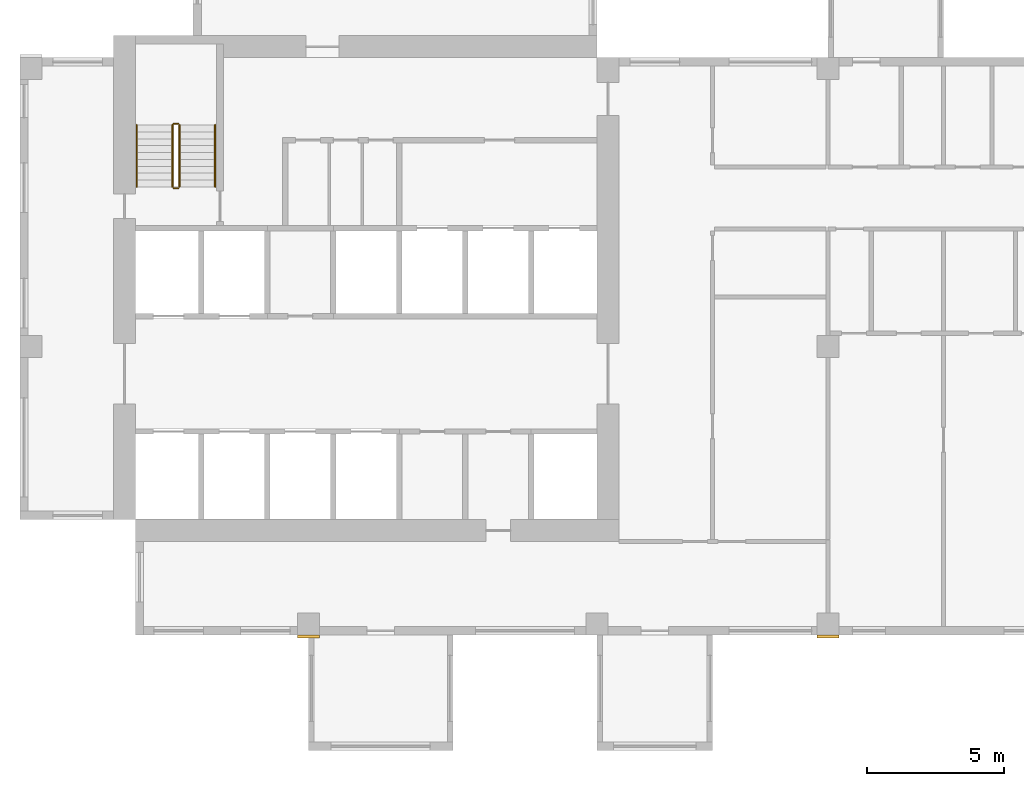
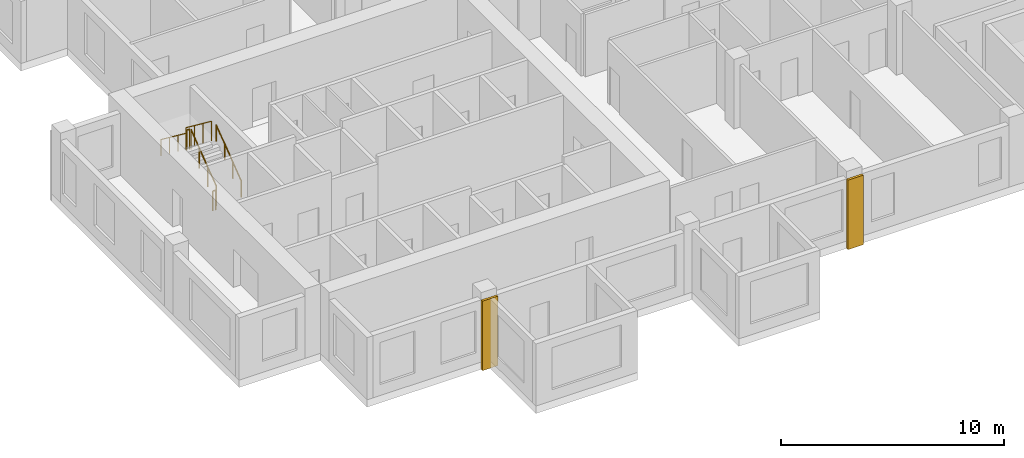
# One storey, part 9 of 12: 6 railings, 2 coverings.
"""IFC4 building model written with IfcOpenShell, lengths in metres."""

from ifc_helpers import new_model, si_unit, direction, frame, origin, origin_2d, place, context, subcontext, project, spatial, rectangle, circle, extrude, source, transform, mapped, material, type_object, element, save


model = new_model("IFC4")

# Units and contexts
model_context = context("Model", 3, precision=1e-05, world=origin(), true_north=direction((0.0, 1.0)))
body_context = subcontext(model_context, "Body", "Model", "MODEL_VIEW")
ifc_project = project(units=[si_unit("LENGTHUNIT", "METRE"), si_unit("AREAUNIT", "SQUARE_METRE"), si_unit("VOLUMEUNIT", "CUBIC_METRE"), si_unit("PLANEANGLEUNIT", "RADIAN"), si_unit("MASSUNIT", "GRAM", prefix="KILO")], contexts=[model_context])

# Site, building, storey
site_placement = place(None, origin())
site = spatial("IfcSite", under=ifc_project, at=site_placement, CompositionType="ELEMENT")
building_placement = place(site_placement, origin())
building = spatial("IfcBuilding", under=site, at=building_placement, Name="Aurelian Terraces", CompositionType="ELEMENT")
storey_placement = place(building_placement, frame((0.0, 0.0, 242.4)))
storey = spatial("IfcBuildingStorey", under=building, at=storey_placement, Name="L55", CompositionType="ELEMENT", Elevation=242.4)

# Coverings
ifc_material_1 = material(Name="Terracotta rainscreen cladding relief", Category="masonry")
covering_type = type_object("IfcCoveringType", Name="BAGUETTE-TC", PredefinedType="CLADDING", material=ifc_material_1)
shared_shape_1 = source(origin(), body_context, "Body", "SweptSolid", [
    extrude(rectangle(XDim=0.8, YDim=0.12, at=origin_2d()), origin(), (0.0, 0.0, 1.0), 3.8),
])
for number, where, z_axis, x_axis, name in (
    (1, (10.5, -0.06, -0.4), (0.0, 0.0, 1.0), (1.0, 0.0, 0.0), "BAGUETTE pier L55 1"),
    (2, (29.4, -0.06, -0.4), (0.0, 0.0, 1.0), (1.0, 0.0, 0.0), "BAGUETTE pier L55 2"),
):
    element("IfcCovering", number, at=place(storey_placement, frame(where, z_axis=z_axis, x_axis=x_axis)), inside=storey, type_object=covering_type, Name=name, PredefinedType="CLADDING", context=body_context, shape_type="MappedRepresentation", body=[
        mapped(shared_shape_1, transform((0.0, 0.0, 0.0), scale=1.0)),
    ])

# Railings
ifc_material_2 = material(Name="Stainless steel", Category="steel")
railing_type_1 = type_object("IfcRailingType", Name="Stair guard 1100", PredefinedType="GUARDRAIL", material=ifc_material_2)
shared_shape_2 = source(origin(), body_context, "Body", "SweptSolid", [
    extrude(circle(Radius=0.024, at=origin_2d()), frame((0.0, 0.0, 1.076), z_axis=(-1.0, 0.0, 0.0), x_axis=(0.0, -1.0, 0.0)), (0.0, 0.0, 1.0), 0.15),
    extrude(circle(Radius=0.021, at=origin_2d()), origin(), (0.0, 0.0, 1.0), 1.052),
    extrude(circle(Radius=0.021, at=origin_2d()), frame((-0.15, 0.0, 0.0)), (0.0, 0.0, 1.0), 1.052),
])
for number, where, name in (
    (3, (5.75, 18.6, 1.9), "L55 S1 stair guard 2"),
    (4, (5.75, 16.25, 0.0), "L55 S1 stair guard 4"),
):
    element("IfcRailing", number, at=place(storey_placement, frame(where)), inside=storey, type_object=railing_type_1, Name=name, PredefinedType="GUARDRAIL", context=body_context, shape_type="MappedRepresentation", body=[
        mapped(shared_shape_2, transform((0.0, 0.0, 0.0), scale=1.0)),
    ])
shared_shape_3 = source(origin(), body_context, "Body", "SweptSolid", [
    extrude(circle(Radius=0.024, at=origin_2d()), frame((0.0, 0.0, 1.076), z_axis=(0.0, 0.796162194123, 0.605083267534), x_axis=(-1.0, 0.0, 0.0)), (0.0, 0.0, 1.0), 2.8261),
    extrude(circle(Radius=0.021, at=origin_2d()), origin(), (0.0, 0.0, 1.0), 1.052),
    extrude(circle(Radius=0.021, at=origin_2d()), frame((0.0, 0.75, 0.57)), (0.0, 0.0, 1.0), 1.052),
    extrude(circle(Radius=0.021, at=origin_2d()), frame((0.0, 1.5, 1.14)), (0.0, 0.0, 1.0), 1.052),
    extrude(circle(Radius=0.021, at=origin_2d()), frame((0.0, 2.25, 1.71)), (0.0, 0.0, 1.0), 1.052),
])
railing_1_placement = place(storey_placement, frame((5.8, 16.3, 0.19)))
element("IfcRailing", 5, at=railing_1_placement, inside=storey, type_object=railing_type_1, Name="L55 S1 stair guard 1", PredefinedType="GUARDRAIL", context=body_context, shape_type="MappedRepresentation", body=[
    mapped(shared_shape_3, transform((0.0, 0.0, 0.0), scale=1.0)),
])
shared_shape_4 = source(origin(), body_context, "Body", "SweptSolid", [
    extrude(circle(Radius=0.024, at=origin_2d()), frame((0.0, 0.0, 1.076), z_axis=(0.0, -0.796162194123, 0.605083267534), x_axis=(1.0, 0.0, 0.0)), (0.0, 0.0, 1.0), 2.8261),
    extrude(circle(Radius=0.021, at=origin_2d()), origin(), (0.0, 0.0, 1.0), 1.052),
    extrude(circle(Radius=0.021, at=origin_2d()), frame((0.0, -0.75, 0.57)), (0.0, 0.0, 1.0), 1.052),
    extrude(circle(Radius=0.021, at=origin_2d()), frame((0.0, -1.5, 1.14)), (0.0, 0.0, 1.0), 1.052),
    extrude(circle(Radius=0.021, at=origin_2d()), frame((0.0, -2.25, 1.71)), (0.0, 0.0, 1.0), 1.052),
])
railing_2_placement = place(storey_placement, frame((5.55, 18.55, 2.09)))
element("IfcRailing", 6, at=railing_2_placement, inside=storey, type_object=railing_type_1, Name="L55 S1 stair guard 3", PredefinedType="GUARDRAIL", context=body_context, shape_type="MappedRepresentation", body=[
    mapped(shared_shape_4, transform((0.0, 0.0, 0.0), scale=1.0)),
])
railing_type_2 = type_object("IfcRailingType", Name="Stair handrail", PredefinedType="HANDRAIL", material=ifc_material_2)
shared_shape_5 = source(origin(), body_context, "Body", "SweptSolid", [
    extrude(circle(Radius=0.024, at=origin_2d()), frame((0.0, 0.0, 0.876), z_axis=(0.0, 0.796162194123, 0.605083267534), x_axis=(-1.0, 0.0, 0.0)), (0.0, 0.0, 1.0), 2.8261),
    extrude(circle(Radius=0.021, at=origin_2d()), origin(), (0.0, 0.0, 1.0), 0.852),
    extrude(circle(Radius=0.021, at=origin_2d()), frame((0.0, 0.75, 0.57)), (0.0, 0.0, 1.0), 0.852),
    extrude(circle(Radius=0.021, at=origin_2d()), frame((0.0, 1.5, 1.14)), (0.0, 0.0, 1.0), 0.852),
    extrude(circle(Radius=0.021, at=origin_2d()), frame((0.0, 2.25, 1.71)), (0.0, 0.0, 1.0), 0.852),
])
railing_3_placement = place(storey_placement, frame((7.1, 16.3, 0.19)))
element("IfcRailing", 7, at=railing_3_placement, inside=storey, type_object=railing_type_2, Name="L55 S1 stair handrail 1", PredefinedType="HANDRAIL", context=body_context, shape_type="MappedRepresentation", body=[
    mapped(shared_shape_5, transform((0.0, 0.0, 0.0), scale=1.0)),
])
shared_shape_6 = source(origin(), body_context, "Body", "SweptSolid", [
    extrude(circle(Radius=0.024, at=origin_2d()), frame((0.0, 0.0, 0.876), z_axis=(0.0, -0.796162194123, 0.605083267534), x_axis=(1.0, 0.0, 0.0)), (0.0, 0.0, 1.0), 2.8261),
    extrude(circle(Radius=0.021, at=origin_2d()), origin(), (0.0, 0.0, 1.0), 0.852),
    extrude(circle(Radius=0.021, at=origin_2d()), frame((0.0, -0.75, 0.57)), (0.0, 0.0, 1.0), 0.852),
    extrude(circle(Radius=0.021, at=origin_2d()), frame((0.0, -1.5, 1.14)), (0.0, 0.0, 1.0), 0.852),
    extrude(circle(Radius=0.021, at=origin_2d()), frame((0.0, -2.25, 1.71)), (0.0, 0.0, 1.0), 0.852),
])
railing_4_placement = place(storey_placement, frame((4.25, 18.55, 2.09)))
element("IfcRailing", 8, at=railing_4_placement, inside=storey, type_object=railing_type_2, Name="L55 S1 stair handrail 2", PredefinedType="HANDRAIL", context=body_context, shape_type="MappedRepresentation", body=[
    mapped(shared_shape_6, transform((0.0, 0.0, 0.0), scale=1.0)),
])

save(model, "model.ifc")
